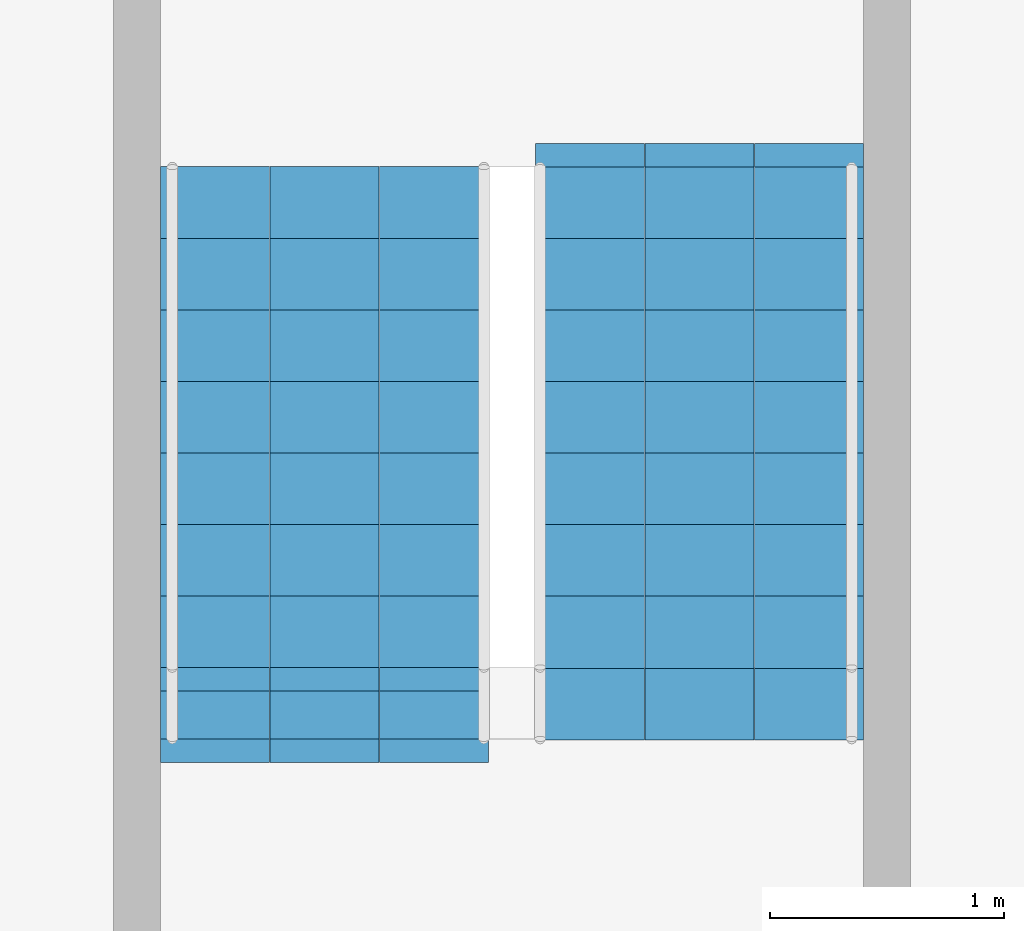
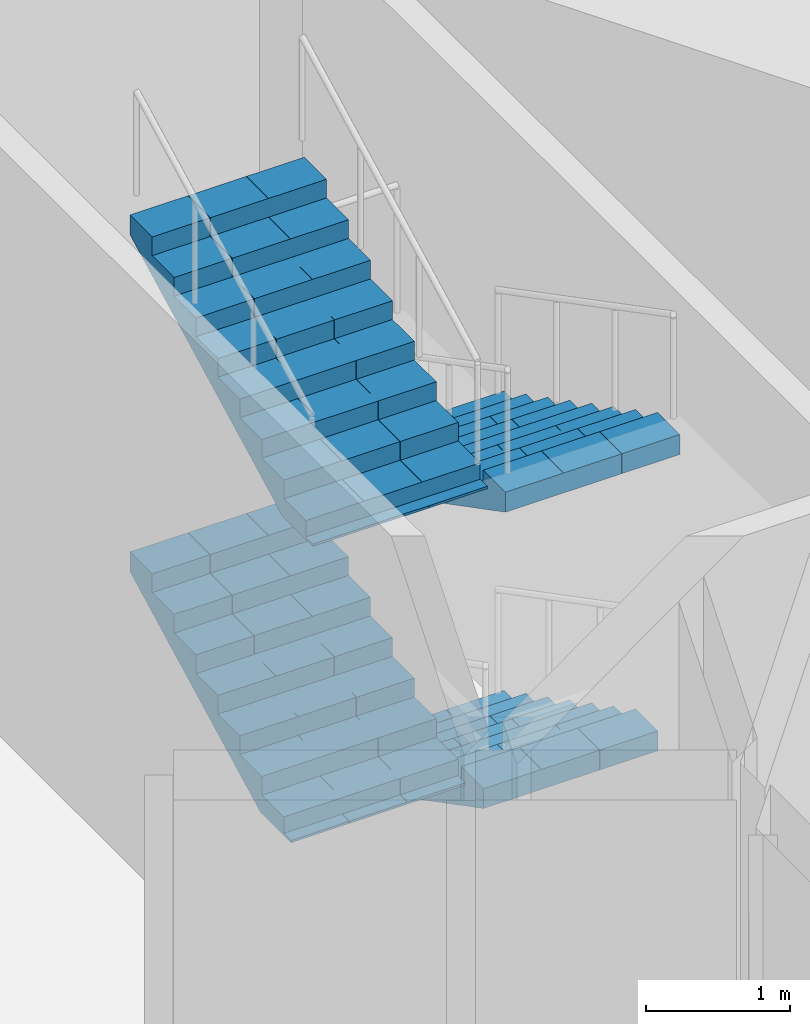
# One storey, part 27 of 29: 4 stair flights, 1 element without a shape of its own.
"""IFC4 building model written with IfcOpenShell, lengths in metres."""

import ifcopenshell
import ifcopenshell.guid

model = None  # the IFC model being written
_history = None  # IfcOwnerHistory: only IFC2X3 demands one
_inside = {}  # id of a spatial element -> (the spatial element, [elements in it])
_under = {}  # id of a project, library or spatial element -> (it, [spatial elements below it])
_declared = {}  # id of a project -> (the project, [libraries it declares])
_typed = {}  # id of a type object -> (the type object, [elements of that type])
_made_of = {}  # id of a material, layer set ... -> (it, [elements and type objects made of it])


def new_model(schema):
    """Start an empty IFC model of exactly this schema.

    Asked for "IFC4X3", IfcOpenShell would pick the latest addendum, in which some entities
    have other attributes; the version numbers below select the first issue.
    IFC2X3 requires an IfcOwnerHistory on every rooted entity: one is made here for all.
    """
    global model, _history
    if schema == "IFC4X3":
        model = ifcopenshell.file(schema_version=(4, 3, 0, 0))
    else:
        model = ifcopenshell.file(schema=schema)
    _inside.clear()
    _under.clear()
    _declared.clear()
    _typed.clear()
    _made_of.clear()
    _history = None
    if model.schema == "IFC2X3":
        org = make("IfcOrganization", Name="unknown")
        user = make(
            "IfcPersonAndOrganization",
            ThePerson=make("IfcPerson", FamilyName="unknown"),
            TheOrganization=org,
        )
        app = make(
            "IfcApplication",
            ApplicationDeveloper=org,
            Version="unknown",
            ApplicationFullName="unknown",
            ApplicationIdentifier="unknown",
        )
        _history = make(
            "IfcOwnerHistory",
            OwningUser=user,
            OwningApplication=app,
            ChangeAction="ADDED",
            CreationDate=0,
        )
    return model


def make(cls, **values):
    """One entity of the class cls with the attributes given. An attribute that is None is left unset."""
    return model.create_entity(
        cls, **{name: value for name, value in values.items() if value is not None}
    )


def rooted(cls, **values):
    """An entity with a GlobalId (a new one), such as an element, a storey or a relation."""
    return make(cls, GlobalId=ifcopenshell.guid.new(), OwnerHistory=_history, **values)


def si_unit(unit_type, name, prefix=None):
    """IfcSIUnit, for example si_unit("LENGTHUNIT", "METRE", prefix="MILLI")."""
    return make("IfcSIUnit", UnitType=unit_type, Prefix=prefix, Name=name)


def assignment(units):
    """IfcUnitAssignment: the units of a project."""
    return None if units is None else make("IfcUnitAssignment", Units=units)


def point(xyz):
    """IfcCartesianPoint."""
    return None if xyz is None else make("IfcCartesianPoint", Coordinates=xyz)


def direction(xyz):
    """IfcDirection."""
    return None if xyz is None else make("IfcDirection", DirectionRatios=xyz)


def frame(location, z_axis=None, x_axis=None):
    """IfcAxis2Placement3D, a coordinate frame: its origin and axes. An axis left out is left unset."""
    return make(
        "IfcAxis2Placement3D",
        Location=point(location),
        Axis=direction(z_axis),
        RefDirection=direction(x_axis),
    )


def origin():
    """The frame at (0, 0, 0) with its axes left unset."""
    return frame((0.0, 0.0, 0.0))


def place(relative_to, where):
    """IfcLocalPlacement: puts the frame where relative to a parent placement (None: the world)."""
    return make(
        "IfcLocalPlacement", PlacementRelTo=relative_to, RelativePlacement=where
    )


def context(
    kind, dimensions, precision=None, world=None, true_north=None, identifier=None
):
    """IfcGeometricRepresentationContext, for example the 3D "Model" context."""
    return make(
        "IfcGeometricRepresentationContext",
        ContextIdentifier=identifier,
        ContextType=kind,
        CoordinateSpaceDimension=dimensions,
        Precision=precision,
        WorldCoordinateSystem=world,
        TrueNorth=true_north,
    )


def subcontext(parent, identifier, kind, view, scale=None):
    """IfcGeometricRepresentationSubContext, for example "Body" below "Model"."""
    return make(
        "IfcGeometricRepresentationSubContext",
        ContextIdentifier=identifier,
        ContextType=kind,
        ParentContext=parent,
        TargetScale=scale,
        TargetView=view,
    )


def project(units=None, contexts=None):
    """IfcProject with its units and contexts."""
    return rooted(
        "IfcProject",
        Name="project",
        RepresentationContexts=contexts,
        UnitsInContext=assignment(units),
    )


def spatial(cls, under=None, at=None, **own):
    """A site, building, storey or space (cls), placed at a placement, below another one or the project."""
    s = rooted(cls, ObjectPlacement=at, **own)
    if under is not None:
        _under.setdefault(under.id(), (under, []))[1].append(s)
    return s


def polyline(points):
    """IfcPolyline through the points."""
    return make("IfcPolyline", Points=[point(p) for p in points])


def outline(outer, holes=None, kind="AREA"):
    """IfcArbitraryClosedProfileDef: a profile drawn as a closed curve; with holes, ...WithVoids."""
    if holes is None:
        return make("IfcArbitraryClosedProfileDef", ProfileType=kind, OuterCurve=outer)
    return make(
        "IfcArbitraryProfileDefWithVoids",
        ProfileType=kind,
        OuterCurve=outer,
        InnerCurves=holes,
    )


def extrude(swept, where, along, depth):
    """IfcExtrudedAreaSolid: the profile swept, set in the frame where, extruded along a direction by depth."""
    return make(
        "IfcExtrudedAreaSolid",
        SweptArea=swept,
        Position=where,
        ExtrudedDirection=direction(along),
        Depth=depth,
    )


def shape(context_of_items, identifier, shape_type, items):
    """IfcShapeRepresentation: the items that make up one representation, for example the "Body"."""
    return make(
        "IfcShapeRepresentation",
        ContextOfItems=context_of_items,
        RepresentationIdentifier=identifier,
        RepresentationType=shape_type,
        Items=items,
    )


def material(Name=None, Category=None):
    """IfcMaterial."""
    return make("IfcMaterial", Name=Name, Category=Category)


def made_of(thing, what):
    """Note that an element or type object is made of a material, layer set ...; save() writes the relation."""
    if what is not None:
        _made_of.setdefault(what.id(), (what, []))[1].append(thing)
    return thing


def type_object(cls, material=None, **own):
    """A type object (cls), such as IfcWallType, which elements share."""
    return made_of(rooted(cls, **own), material)


def element(
    cls,
    number,
    at=None,
    inside=None,
    cuts=None,
    type_object=None,
    material=None,
    context=None,
    identifier="Body",
    shape_type=None,
    held_by="IfcProductDefinitionShape",
    body=None,
    shapes=None,
    **own,
):
    """One element of the class cls, such as IfcWall. Its Tag is "e" and its number.

    at: its placement. inside: the storey or other place that contains it. cuts: it is an
    opening in that element (IfcRelVoidsElement). A single representation is given by context,
    identifier, shape_type and body (its items); several are given by shapes. held_by: the class
    of the entity that holds the representations. save() writes the other relations.
    """
    e = rooted(cls, Tag="e%d" % number, ObjectPlacement=at, **own)
    if body is not None:
        shapes = [shape(context, identifier, shape_type, body)]
    if shapes is not None:
        e.Representation = make(held_by, Representations=shapes)
    if inside is not None:
        _inside.setdefault(inside.id(), (inside, []))[1].append(e)
    if cuts is not None:
        rooted(
            "IfcRelVoidsElement", RelatingBuildingElement=cuts, RelatedOpeningElement=e
        )
    if type_object is not None:
        _typed.setdefault(type_object.id(), (type_object, []))[1].append(e)
    return made_of(e, material)


def aggregate(whole, parts):
    """IfcRelAggregates: a whole, such as a stair, and the parts it consists of."""
    return rooted("IfcRelAggregates", RelatingObject=whole, RelatedObjects=parts)


def save(model, path):
    """Write the relations noted so far, then the file.

    IfcRelAggregates (storeys below a building ...), IfcRelContainedInSpatialStructure (elements
    in a storey), IfcRelDefinesByType, IfcRelAssociatesMaterial and IfcRelDeclares: one each for
    every whole, place, type object, material and project.
    """
    for whole, parts in _under.values():
        aggregate(whole, parts)
    for where, things in _inside.values():
        rooted(
            "IfcRelContainedInSpatialStructure",
            RelatedElements=things,
            RelatingStructure=where,
        )
    for kind, things in _typed.values():
        rooted("IfcRelDefinesByType", RelatedObjects=things, RelatingType=kind)
    for what, things in _made_of.values():
        rooted("IfcRelAssociatesMaterial", RelatedObjects=things, RelatingMaterial=what)
    for by, libraries in _declared.values():
        rooted("IfcRelDeclares", RelatingContext=by, RelatedDefinitions=libraries)
    model.write(path)


model = new_model("IFC4")

# Units and contexts
model_context = context("Model", 3, precision=1e-05, world=origin(), true_north=direction((0.0, 1.0)))
body_context = subcontext(model_context, "Body", "Model", "MODEL_VIEW")
ifc_project = project(units=[si_unit("LENGTHUNIT", "METRE"), si_unit("AREAUNIT", "SQUARE_METRE"), si_unit("VOLUMEUNIT", "CUBIC_METRE"), si_unit("PLANEANGLEUNIT", "RADIAN"), si_unit("MASSUNIT", "GRAM", prefix="KILO")], contexts=[model_context])

# Site, building, storey
site_placement = place(None, origin())
site = spatial("IfcSite", under=ifc_project, at=site_placement, CompositionType="ELEMENT")
building_placement = place(site_placement, origin())
building = spatial("IfcBuilding", under=site, at=building_placement, Name="Triada Interchange Tower", CompositionType="ELEMENT")
storey_placement = place(building_placement, frame((0.0, 0.0, 19.89990234375)))
storey = spatial("IfcBuildingStorey", under=building, at=storey_placement, Name="L03", CompositionType="ELEMENT", Elevation=19.89990234375)

# Stair, stair flights
ifc_material = material(Name="Concrete C35/45", Category="concrete")
stair_type = type_object("IfcStairType", Name="HALF TURN STAIR 1400", PredefinedType="HALF_TURN_STAIR", material=ifc_material)
stair_placement = place(storey_placement, origin())
stair = element("IfcStair", 1, at=stair_placement, inside=storey, type_object=stair_type, Name="Exit stair S03-1", PredefinedType="HALF_TURN_STAIR")
stair_flight_type = type_object("IfcStairFlightType", Name="STRAIGHT STAIR FLIGHT 1400", PredefinedType="STRAIGHT", material=ifc_material)
stair_flight_1_placement = place(storey_placement, frame((0.800048828125, 11.60009765625, 0.0), z_axis=(0.0, 0.0, 1.0), x_axis=(0.0, -1.0, 0.0)))
stair_flight_1 = element("IfcStairFlight", 2, at=stair_flight_1_placement, type_object=stair_flight_type, Name="S03-1 flight 1", NumberOfRisers=8, NumberOfTreads=7, PredefinedType="STRAIGHT", RiserHeight=0.15882, TreadLength=0.305, context=body_context, shape_type="SweptSolid", body=[
    extrude(outline(polyline([(-0.10009765625, 0.0), (-0.10009765625, 0.02001953125), (0.0, 0.02001953125), (0.0, 0.158935546875), (0.304931640625, 0.158935546875), (0.304931640625, 0.317626953125), (0.610107421875, 0.317626953125), (0.610107421875, 0.4765625), (0.9150390625, 0.4765625), (0.9150390625, 0.63525390625), (1.219970703125, 0.63525390625), (1.219970703125, 0.794189453125), (1.52490234375, 0.794189453125), (1.52490234375, 0.952880859375), (1.830078125, 0.952880859375), (1.830078125, 1.11181640625), (2.135009765625, 1.11181640625), (2.138916015625, 1.11181640625), (2.138916015625, 1.2705078125), (2.138916015625, 0.942626953125), (0.324462890625, 0.0), (-0.10009765625, 0.0)])), frame((0.0, 0.699951171875, 0.0), z_axis=(0.0, -1.0, 0.0), x_axis=(1.0, 0.0, 0.0)), (0.0, 0.0, 1.0), 0.46533203125),
    extrude(outline(polyline([(-0.10009765625, 0.0), (-0.10009765625, 0.02001953125), (0.0, 0.02001953125), (0.0, 0.158935546875), (0.304931640625, 0.158935546875), (0.304931640625, 0.317626953125), (0.610107421875, 0.317626953125), (0.610107421875, 0.4765625), (0.9150390625, 0.4765625), (0.9150390625, 0.63525390625), (1.219970703125, 0.63525390625), (1.219970703125, 0.794189453125), (1.52490234375, 0.794189453125), (1.52490234375, 0.952880859375), (1.830078125, 0.952880859375), (1.830078125, 1.11181640625), (2.135009765625, 1.11181640625), (2.138916015625, 1.11181640625), (2.138916015625, 1.2705078125), (2.138916015625, 0.942626953125), (0.324462890625, 0.0), (-0.10009765625, 0.0)])), frame((0.0, 0.232666015625, 0.0), z_axis=(0.0, -1.0, 0.0), x_axis=(1.0, 0.0, 0.0)), (0.0, 0.0, 1.0), 0.46533203125),
    extrude(outline(polyline([(-0.10009765625, 0.0), (-0.10009765625, 0.02001953125), (0.0, 0.02001953125), (0.0, 0.158935546875), (0.304931640625, 0.158935546875), (0.304931640625, 0.317626953125), (0.610107421875, 0.317626953125), (0.610107421875, 0.4765625), (0.9150390625, 0.4765625), (0.9150390625, 0.63525390625), (1.219970703125, 0.63525390625), (1.219970703125, 0.794189453125), (1.52490234375, 0.794189453125), (1.52490234375, 0.952880859375), (1.830078125, 0.952880859375), (1.830078125, 1.11181640625), (2.135009765625, 1.11181640625), (2.138916015625, 1.11181640625), (2.138916015625, 1.2705078125), (2.138916015625, 0.942626953125), (0.324462890625, 0.0), (-0.10009765625, 0.0)])), frame((0.0, -0.234619140625, 0.0), z_axis=(0.0, -1.0, 0.0), x_axis=(1.0, 0.0, 0.0)), (0.0, 0.0, 1.0), 0.46533203125),
])
stair_flight_2_placement = place(storey_placement, frame((-0.800048828125, 9.465087890625, 1.270751953125), z_axis=(0.0, 0.0, 1.0), x_axis=(0.0, 1.0, 0.0)))
stair_flight_2 = element("IfcStairFlight", 3, at=stair_flight_2_placement, type_object=stair_flight_type, Name="S03-1 flight 2", NumberOfRisers=8, NumberOfTreads=7, PredefinedType="STRAIGHT", RiserHeight=0.15882, TreadLength=0.305, context=body_context, shape_type="SweptSolid", body=[
    extrude(outline(polyline([(-0.10009765625, 0.0), (-0.10009765625, 0.02001953125), (0.0, 0.02001953125), (0.0, 0.158935546875), (0.304931640625, 0.158935546875), (0.304931640625, 0.317626953125), (0.610107421875, 0.317626953125), (0.610107421875, 0.4765625), (0.9150390625, 0.4765625), (0.9150390625, 0.63525390625), (1.219970703125, 0.63525390625), (1.219970703125, 0.794189453125), (1.52490234375, 0.794189453125), (1.52490234375, 0.952880859375), (1.830078125, 0.952880859375), (1.830078125, 1.11181640625), (2.135009765625, 1.11181640625), (2.138916015625, 1.11181640625), (2.138916015625, 1.2705078125), (2.138916015625, 0.942626953125), (0.324462890625, 0.0), (-0.10009765625, 0.0)])), frame((0.0, 0.699951171875, 0.0), z_axis=(0.0, -1.0, 0.0), x_axis=(1.0, 0.0, 0.0)), (0.0, 0.0, 1.0), 0.46533203125),
    extrude(outline(polyline([(-0.10009765625, 0.0), (-0.10009765625, 0.02001953125), (0.0, 0.02001953125), (0.0, 0.158935546875), (0.304931640625, 0.158935546875), (0.304931640625, 0.317626953125), (0.610107421875, 0.317626953125), (0.610107421875, 0.4765625), (0.9150390625, 0.4765625), (0.9150390625, 0.63525390625), (1.219970703125, 0.63525390625), (1.219970703125, 0.794189453125), (1.52490234375, 0.794189453125), (1.52490234375, 0.952880859375), (1.830078125, 0.952880859375), (1.830078125, 1.11181640625), (2.135009765625, 1.11181640625), (2.138916015625, 1.11181640625), (2.138916015625, 1.2705078125), (2.138916015625, 0.942626953125), (0.324462890625, 0.0), (-0.10009765625, 0.0)])), frame((0.0, 0.232666015625, 0.0), z_axis=(0.0, -1.0, 0.0), x_axis=(1.0, 0.0, 0.0)), (0.0, 0.0, 1.0), 0.46533203125),
    extrude(outline(polyline([(-0.10009765625, 0.0), (-0.10009765625, 0.02001953125), (0.0, 0.02001953125), (0.0, 0.158935546875), (0.304931640625, 0.158935546875), (0.304931640625, 0.317626953125), (0.610107421875, 0.317626953125), (0.610107421875, 0.4765625), (0.9150390625, 0.4765625), (0.9150390625, 0.63525390625), (1.219970703125, 0.63525390625), (1.219970703125, 0.794189453125), (1.52490234375, 0.794189453125), (1.52490234375, 0.952880859375), (1.830078125, 0.952880859375), (1.830078125, 1.11181640625), (2.135009765625, 1.11181640625), (2.138916015625, 1.11181640625), (2.138916015625, 1.2705078125), (2.138916015625, 0.942626953125), (0.324462890625, 0.0), (-0.10009765625, 0.0)])), frame((0.0, -0.234619140625, 0.0), z_axis=(0.0, -1.0, 0.0), x_axis=(1.0, 0.0, 0.0)), (0.0, 0.0, 1.0), 0.46533203125),
])
stair_flight_3_placement = place(storey_placement, frame((0.800048828125, 11.60009765625, 2.541259765625), z_axis=(0.0, 0.0, 1.0), x_axis=(0.0, -1.0, 0.0)))
stair_flight_3 = element("IfcStairFlight", 4, at=stair_flight_3_placement, type_object=stair_flight_type, Name="S03-1 flight 3", NumberOfRisers=9, NumberOfTreads=8, PredefinedType="STRAIGHT", RiserHeight=0.15882, TreadLength=0.305, context=body_context, shape_type="SweptSolid", body=[
    extrude(outline(polyline([(-0.10009765625, 0.0), (-0.10009765625, 0.02001953125), (0.0, 0.02001953125), (0.0, 0.158935546875), (0.304931640625, 0.158935546875), (0.304931640625, 0.317626953125), (0.610107421875, 0.317626953125), (0.610107421875, 0.4765625), (0.9150390625, 0.4765625), (0.9150390625, 0.63525390625), (1.219970703125, 0.63525390625), (1.219970703125, 0.794189453125), (1.52490234375, 0.794189453125), (1.52490234375, 0.952880859375), (1.830078125, 0.952880859375), (1.830078125, 1.11181640625), (2.135009765625, 1.11181640625), (2.135009765625, 1.2705078125), (2.43994140625, 1.2705078125), (2.444091796875, 1.2705078125), (2.444091796875, 1.429443359375), (2.444091796875, 1.1015625), (0.324462890625, 0.0), (-0.10009765625, 0.0)])), frame((0.0, 0.699951171875, 0.0), z_axis=(0.0, -1.0, 0.0), x_axis=(1.0, 0.0, 0.0)), (0.0, 0.0, 1.0), 0.46533203125),
    extrude(outline(polyline([(-0.10009765625, 0.0), (-0.10009765625, 0.02001953125), (0.0, 0.02001953125), (0.0, 0.158935546875), (0.304931640625, 0.158935546875), (0.304931640625, 0.317626953125), (0.610107421875, 0.317626953125), (0.610107421875, 0.4765625), (0.9150390625, 0.4765625), (0.9150390625, 0.63525390625), (1.219970703125, 0.63525390625), (1.219970703125, 0.794189453125), (1.52490234375, 0.794189453125), (1.52490234375, 0.952880859375), (1.830078125, 0.952880859375), (1.830078125, 1.11181640625), (2.135009765625, 1.11181640625), (2.135009765625, 1.2705078125), (2.43994140625, 1.2705078125), (2.444091796875, 1.2705078125), (2.444091796875, 1.429443359375), (2.444091796875, 1.1015625), (0.324462890625, 0.0), (-0.10009765625, 0.0)])), frame((0.0, 0.232666015625, 0.0), z_axis=(0.0, -1.0, 0.0), x_axis=(1.0, 0.0, 0.0)), (0.0, 0.0, 1.0), 0.46533203125),
    extrude(outline(polyline([(-0.10009765625, 0.0), (-0.10009765625, 0.02001953125), (0.0, 0.02001953125), (0.0, 0.158935546875), (0.304931640625, 0.158935546875), (0.304931640625, 0.317626953125), (0.610107421875, 0.317626953125), (0.610107421875, 0.4765625), (0.9150390625, 0.4765625), (0.9150390625, 0.63525390625), (1.219970703125, 0.63525390625), (1.219970703125, 0.794189453125), (1.52490234375, 0.794189453125), (1.52490234375, 0.952880859375), (1.830078125, 0.952880859375), (1.830078125, 1.11181640625), (2.135009765625, 1.11181640625), (2.135009765625, 1.2705078125), (2.43994140625, 1.2705078125), (2.444091796875, 1.2705078125), (2.444091796875, 1.429443359375), (2.444091796875, 1.1015625), (0.324462890625, 0.0), (-0.10009765625, 0.0)])), frame((0.0, -0.234619140625, 0.0), z_axis=(0.0, -1.0, 0.0), x_axis=(1.0, 0.0, 0.0)), (0.0, 0.0, 1.0), 0.46533203125),
])
stair_flight_4_placement = place(storey_placement, frame((-0.800048828125, 9.159912109375, 3.970703125), z_axis=(0.0, 0.0, 1.0), x_axis=(0.0, 1.0, 0.0)))
stair_flight_4 = element("IfcStairFlight", 5, at=stair_flight_4_placement, type_object=stair_flight_type, Name="S03-1 flight 4", NumberOfRisers=9, NumberOfTreads=8, PredefinedType="STRAIGHT", RiserHeight=0.15882, TreadLength=0.305, context=body_context, shape_type="SweptSolid", body=[
    extrude(outline(polyline([(-0.10009765625, 0.0), (-0.10009765625, 0.02001953125), (0.0, 0.02001953125), (0.0, 0.158935546875), (0.304931640625, 0.158935546875), (0.304931640625, 0.317626953125), (0.610107421875, 0.317626953125), (0.610107421875, 0.4765625), (0.9150390625, 0.4765625), (0.9150390625, 0.63525390625), (1.219970703125, 0.63525390625), (1.219970703125, 0.794189453125), (1.52490234375, 0.794189453125), (1.52490234375, 0.952880859375), (1.830078125, 0.952880859375), (1.830078125, 1.11181640625), (2.135009765625, 1.11181640625), (2.135009765625, 1.2705078125), (2.43994140625, 1.2705078125), (2.444091796875, 1.2705078125), (2.444091796875, 1.429443359375), (2.444091796875, 1.1015625), (0.324462890625, 0.0), (-0.10009765625, 0.0)])), frame((0.0, 0.699951171875, 0.0), z_axis=(0.0, -1.0, 0.0), x_axis=(1.0, 0.0, 0.0)), (0.0, 0.0, 1.0), 0.46533203125),
    extrude(outline(polyline([(-0.10009765625, 0.0), (-0.10009765625, 0.02001953125), (0.0, 0.02001953125), (0.0, 0.158935546875), (0.304931640625, 0.158935546875), (0.304931640625, 0.317626953125), (0.610107421875, 0.317626953125), (0.610107421875, 0.4765625), (0.9150390625, 0.4765625), (0.9150390625, 0.63525390625), (1.219970703125, 0.63525390625), (1.219970703125, 0.794189453125), (1.52490234375, 0.794189453125), (1.52490234375, 0.952880859375), (1.830078125, 0.952880859375), (1.830078125, 1.11181640625), (2.135009765625, 1.11181640625), (2.135009765625, 1.2705078125), (2.43994140625, 1.2705078125), (2.444091796875, 1.2705078125), (2.444091796875, 1.429443359375), (2.444091796875, 1.1015625), (0.324462890625, 0.0), (-0.10009765625, 0.0)])), frame((0.0, 0.232666015625, 0.0), z_axis=(0.0, -1.0, 0.0), x_axis=(1.0, 0.0, 0.0)), (0.0, 0.0, 1.0), 0.46533203125),
    extrude(outline(polyline([(-0.10009765625, 0.0), (-0.10009765625, 0.02001953125), (0.0, 0.02001953125), (0.0, 0.158935546875), (0.304931640625, 0.158935546875), (0.304931640625, 0.317626953125), (0.610107421875, 0.317626953125), (0.610107421875, 0.4765625), (0.9150390625, 0.4765625), (0.9150390625, 0.63525390625), (1.219970703125, 0.63525390625), (1.219970703125, 0.794189453125), (1.52490234375, 0.794189453125), (1.52490234375, 0.952880859375), (1.830078125, 0.952880859375), (1.830078125, 1.11181640625), (2.135009765625, 1.11181640625), (2.135009765625, 1.2705078125), (2.43994140625, 1.2705078125), (2.444091796875, 1.2705078125), (2.444091796875, 1.429443359375), (2.444091796875, 1.1015625), (0.324462890625, 0.0), (-0.10009765625, 0.0)])), frame((0.0, -0.234619140625, 0.0), z_axis=(0.0, -1.0, 0.0), x_axis=(1.0, 0.0, 0.0)), (0.0, 0.0, 1.0), 0.46533203125),
])
aggregate(stair, [stair_flight_1, stair_flight_2, stair_flight_3, stair_flight_4])

save(model, "model.ifc")
